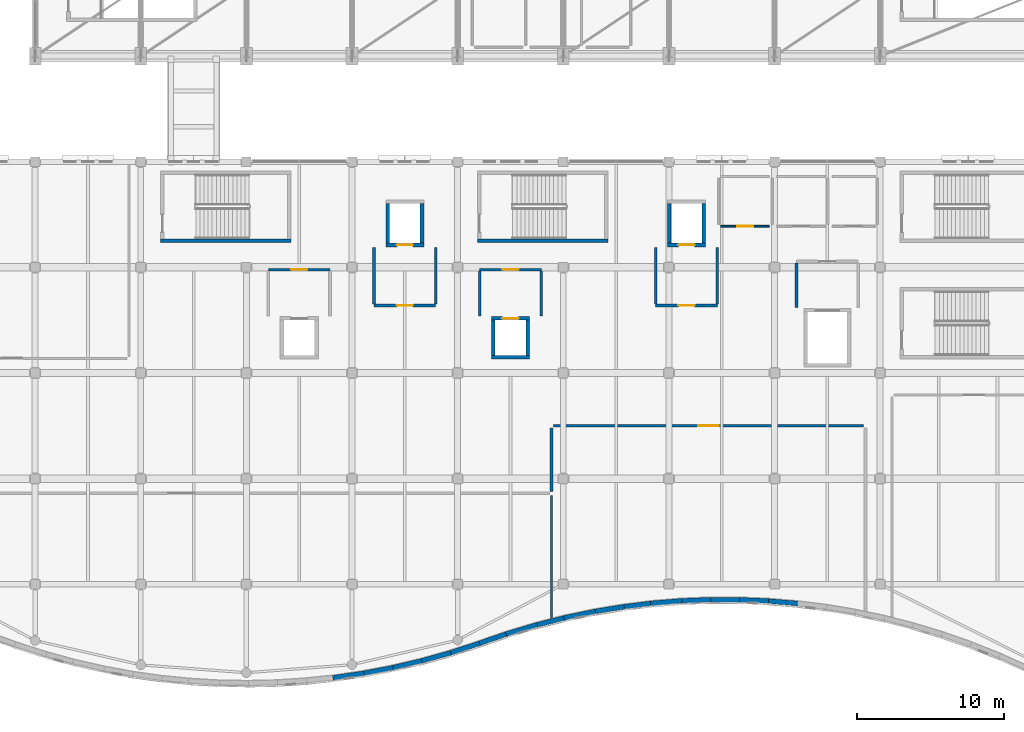
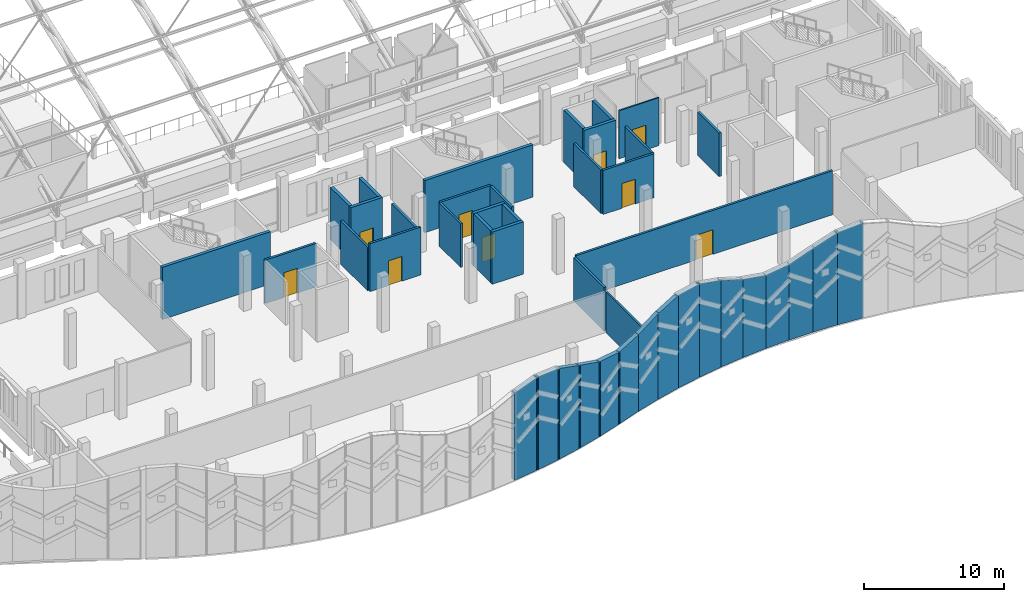
# One storey, part 89 of 116: 43 walls, 9 doors, 9 openings.
"""IFC4 building model written with IfcOpenShell, lengths in metres."""

from ifc_helpers import new_model, si_unit, direction, frame, frame_2d, origin, place, context, subcontext, project, spatial, polyline, rectangle, outline, extrude, material, layer, layer_set, type_object, element, fill, save


model = new_model("IFC4")

# Units and contexts
model_context = context("Model", 3, precision=1e-05, world=origin(), true_north=direction((0.0, 1.0)))
body_context = subcontext(model_context, "Body", "Model", "MODEL_VIEW")
ifc_project = project(units=[si_unit("LENGTHUNIT", "METRE"), si_unit("AREAUNIT", "SQUARE_METRE"), si_unit("VOLUMEUNIT", "CUBIC_METRE"), si_unit("PLANEANGLEUNIT", "RADIAN"), si_unit("MASSUNIT", "GRAM", prefix="KILO")], contexts=[model_context])

# Site, building, storey
site_placement = place(None, origin())
site = spatial("IfcSite", under=ifc_project, at=site_placement, CompositionType="ELEMENT")
building_placement = place(site_placement, origin())
building = spatial("IfcBuilding", under=site, at=building_placement, Name="Cendralis Lancet Convention Centre", CompositionType="ELEMENT")
storey_placement = place(building_placement, frame((0.0, 0.0, 15.0)))
storey = spatial("IfcBuildingStorey", under=building, at=storey_placement, Name="L03", CompositionType="ELEMENT", Elevation=15.0)

# Walls
ifc_material_1 = material(Name="Buff sandstone ashlar and Concrete G40 (C40/50)", Category="masonry")
ifc_layer_1 = layer(ifc_material_1, 0.340087890625, Name="Buff sandstone ashlar and Concrete G40 (C40/50)")
ifc_layer_set_1 = layer_set([ifc_layer_1], Name="Buff sandstone ashlar and Concrete G40 (C40/50)")
wall_type_1 = type_object("IfcWallType", Name="ARC-EW-W340", PredefinedType="STANDARD", material=ifc_layer_set_1)
wall_1_placement = place(storey_placement, frame((159.48486328125, 0.816650390625, 0.0), z_axis=(0.0, 0.0, 1.0), x_axis=(0.989332324203, 0.145676189844, 0.0)))
element("IfcWall", 1, at=wall_1_placement, inside=storey, type_object=wall_type_1, Name="South Boulevard Wave Crest Wall L03 WP-081-WP-082", PredefinedType="STANDARD", context=body_context, shape_type="SweptSolid", body=[
    extrude(outline(polyline([(0.0, 0.0), (2.16015625, 0.0), (2.160400390625, 8.088623046875), (0.0, 7.5732421875), (0.0, 0.0)])), frame((0.0, 0.169921875, 0.0), z_axis=(0.0, -1.0, 0.0), x_axis=(1.0, 0.0, 0.0)), (0.0, 0.0, 1.0), 0.340087890625),
])
wall_2_placement = place(storey_placement, frame((161.45458984375, 1.10302734375, 0.0), z_axis=(0.0, 0.0, 1.0), x_axis=(0.982343477653, 0.187086322089, 0.0)))
element("IfcWall", 2, at=wall_2_placement, inside=storey, type_object=wall_type_1, Name="South Boulevard Wave Crest Wall L03 WP-082-WP-083", PredefinedType="STANDARD", context=body_context, shape_type="SweptSolid", body=[
    extrude(outline(polyline([(0.0, 0.0), (2.17529296875, 0.0), (2.17529296875, 7.891845703125), (0.0, 8.07373046875), (0.0, 0.0)])), frame((0.0, 0.169921875, 0.0), z_axis=(0.0, -1.0, 0.0), x_axis=(1.0, 0.0, 0.0)), (0.0, 0.0, 1.0), 0.340087890625),
])
wall_3_placement = place(storey_placement, frame((163.42529296875, 1.474609375, 0.0), z_axis=(0.0, 0.0, 1.0), x_axis=(0.973669248069, 0.227965338076, 0.0)))
element("IfcWall", 3, at=wall_3_placement, inside=storey, type_object=wall_type_1, Name="South Boulevard Wave Crest Wall L03 WP-083-WP-084", PredefinedType="STANDARD", context=body_context, shape_type="SweptSolid", body=[
    extrude(outline(polyline([(0.0, 0.0), (2.192138671875, 0.0), (2.1923828125, 7.18896484375), (0.0, 7.93310546875), (0.0, 0.0)])), frame((0.0, 0.169921875, 0.0), z_axis=(0.0, -1.0, 0.0), x_axis=(1.0, 0.0, 0.0)), (0.0, 0.0, 1.0), 0.340087890625),
])
wall_4_placement = place(storey_placement, frame((165.39501953125, 1.93212890625, 0.0), z_axis=(0.0, 0.0, 1.0), x_axis=(0.963137862503, 0.269008285772, 0.0)))
element("IfcWall", 4, at=wall_4_placement, inside=storey, type_object=wall_type_1, Name="South Boulevard Wave Crest Wall L03 WP-084-WP-085", PredefinedType="STANDARD", context=body_context, shape_type="SweptSolid", body=[
    extrude(outline(polyline([(0.0, 0.0), (2.21435546875, 0.0), (2.214599609375, 6.474365234375), (0.0, 7.256103515625), (0.0, 0.0)])), frame((0.0, 0.169921875, 0.0), z_axis=(0.0, -1.0, 0.0), x_axis=(1.0, 0.0, 0.0)), (0.0, 0.0, 1.0), 0.340087890625),
])
wall_5_placement = place(storey_placement, frame((167.365234375, 2.478759765625, 0.0), z_axis=(0.0, 0.0, 1.0), x_axis=(0.950754268652, 0.309945673692, 0.0)))
element("IfcWall", 5, at=wall_5_placement, inside=storey, type_object=wall_type_1, Name="South Boulevard Wave Crest Wall L03 WP-085-WP-086", PredefinedType="STANDARD", context=body_context, shape_type="SweptSolid", body=[
    extrude(outline(polyline([(0.0, 0.0), (2.240966796875, 0.0), (2.240966796875, 6.250732421875), (0.0, 6.520263671875), (0.0, 0.0)])), frame((0.0, 0.169921875, 0.0), z_axis=(0.0, -1.0, 0.0), x_axis=(1.0, 0.0, 0.0)), (0.0, 0.0, 1.0), 0.340087890625),
])
wall_6_placement = place(storey_placement, frame((169.334716796875, 3.119384765625, 0.0), z_axis=(0.0, 0.0, 1.0), x_axis=(0.945416720516, 0.325863812916, 0.0)))
element("IfcWall", 6, at=wall_6_placement, inside=storey, type_object=wall_type_1, Name="South Boulevard Wave Crest Wall L03 WP-086-WP-087", PredefinedType="STANDARD", context=body_context, shape_type="SweptSolid", body=[
    extrude(outline(polyline([(0.0, 0.0), (2.253662109375, 0.0), (2.25390625, 6.680908203125), (0.0, 6.24365234375), (0.0, 0.0)])), frame((0.0, 0.169921875, 0.0), z_axis=(0.0, -1.0, 0.0), x_axis=(1.0, 0.0, 0.0)), (0.0, 0.0, 1.0), 0.340087890625),
])
wall_7_placement = place(storey_placement, frame((171.3037109375, 3.801513671875, 0.0), z_axis=(0.0, 0.0, 1.0), x_axis=(0.957895707977, 0.287116374731, 0.0)))
element("IfcWall", 7, at=wall_7_placement, inside=storey, type_object=wall_type_1, Name="South Boulevard Wave Crest Wall L03 WP-087-WP-088", PredefinedType="STANDARD", context=body_context, shape_type="SweptSolid", body=[
    extrude(outline(polyline([(0.0, 0.0), (2.225341796875, 0.0), (2.2255859375, 7.4736328125), (0.0, 6.625244140625), (0.0, 0.0)])), frame((0.0, 0.169921875, 0.0), z_axis=(0.0, -1.0, 0.0), x_axis=(1.0, 0.0, 0.0)), (0.0, 0.0, 1.0), 0.340087890625),
])
wall_8_placement = place(storey_placement, frame((173.271484375, 4.39501953125, 0.0), z_axis=(0.0, 0.0, 1.0), x_axis=(0.969229089559, 0.246160459767, 0.0)))
element("IfcWall", 8, at=wall_8_placement, inside=storey, type_object=wall_type_1, Name="South Boulevard Wave Crest Wall L03 WP-088-WP-089", PredefinedType="STANDARD", context=body_context, shape_type="SweptSolid", body=[
    extrude(outline(polyline([(0.0, 0.0), (2.201904296875, 0.0), (2.201416015625, 8.0859375), (0.0, 7.406982421875), (0.0, 0.0)])), frame((0.0, 0.169921875, 0.0), z_axis=(0.0, -1.0, 0.0), x_axis=(1.0, 0.0, 0.0)), (0.0, 0.0, 1.0), 0.340087890625),
])
wall_9_placement = place(storey_placement, frame((175.23974609375, 4.898681640625, 0.0), z_axis=(0.0, 0.0, 1.0), x_axis=(0.978807841966, 0.20478087925, 0.0)))
element("IfcWall", 9, at=wall_9_placement, inside=storey, type_object=wall_type_1, Name="South Boulevard Wave Crest Wall L03 WP-089-WP-090", PredefinedType="STANDARD", context=body_context, shape_type="SweptSolid", body=[
    extrude(outline(polyline([(0.0, 0.0), (2.181640625, 0.0), (2.181640625, 8.099609375), (0.0, 8.053955078125), (0.0, 0.0)])), frame((0.0, 0.169921875, 0.0), z_axis=(0.0, -1.0, 0.0), x_axis=(1.0, 0.0, 0.0)), (0.0, 0.0, 1.0), 0.340087890625),
])
wall_10_placement = place(storey_placement, frame((177.2080078125, 5.314208984375, 0.0), z_axis=(0.0, 0.0, 1.0), x_axis=(0.986512410096, 0.163686483027, 0.0)))
element("IfcWall", 10, at=wall_10_placement, inside=storey, type_object=wall_type_1, Name="South Boulevard Wave Crest Wall L03 WP-090-WP-091", PredefinedType="STANDARD", context=body_context, shape_type="SweptSolid", body=[
    extrude(outline(polyline([(0.0, 0.0), (2.167236328125, 0.0), (2.1669921875, 7.51220703125), (0.0, 8.125), (0.0, 0.0)])), frame((0.0, 0.169921875, 0.0), z_axis=(0.0, -1.0, 0.0), x_axis=(1.0, 0.0, 0.0)), (0.0, 0.0, 1.0), 0.340087890625),
])
wall_11_placement = place(storey_placement, frame((179.177490234375, 5.64453125, 0.0), z_axis=(0.0, 0.0, 1.0), x_axis=(0.992466764456, 0.122514168366, 0.0)))
element("IfcWall", 11, at=wall_11_placement, inside=storey, type_object=wall_type_1, Name="South Boulevard Wave Crest Wall L03 WP-091-WP-092", PredefinedType="STANDARD", context=body_context, shape_type="SweptSolid", body=[
    extrude(outline(polyline([(0.0, 0.0), (2.154052734375, 0.0), (2.154052734375, 6.739501953125), (0.0, 7.57763671875), (0.0, 0.0)])), frame((0.0, 0.169921875, 0.0), z_axis=(0.0, -1.0, 0.0), x_axis=(1.0, 0.0, 0.0)), (0.0, 0.0, 1.0), 0.340087890625),
])
wall_12_placement = place(storey_placement, frame((181.146240234375, 5.89111328125, 0.0), z_axis=(0.0, 0.0, 1.0), x_axis=(0.996638509986, 0.081924846123, 0.0)))
element("IfcWall", 12, at=wall_12_placement, inside=storey, type_object=wall_type_1, Name="South Boulevard Wave Crest Wall L03 WP-092-WP-093", PredefinedType="STANDARD", context=body_context, shape_type="SweptSolid", body=[
    extrude(outline(polyline([(0.0, 0.0), (2.145751953125, 0.0), (2.1455078125, 6.32470703125), (0.0, 6.798583984375), (0.0, 0.0)])), frame((0.0, 0.169921875, 0.0), z_axis=(0.0, -1.0, 0.0), x_axis=(1.0, 0.0, 0.0)), (0.0, 0.0, 1.0), 0.340087890625),
])
wall_13_placement = place(storey_placement, frame((183.114990234375, 6.056396484375, 0.0), z_axis=(0.0, 0.0, 1.0), x_axis=(0.999170801248, 0.040714984139, 0.0)))
element("IfcWall", 13, at=wall_13_placement, inside=storey, type_object=wall_type_1, Name="South Boulevard Wave Crest Wall L03 WP-093-WP-094", PredefinedType="STANDARD", context=body_context, shape_type="SweptSolid", body=[
    extrude(outline(polyline([(0.0, 0.0), (2.140625, 0.0), (2.140625, 6.562744140625), (0.0, 6.3359375), (0.0, 0.0)])), frame((0.0, 0.169921875, 0.0), z_axis=(0.0, -1.0, 0.0), x_axis=(1.0, 0.0, 0.0)), (0.0, 0.0, 1.0), 0.340087890625),
])
wall_14_placement = place(storey_placement, frame((185.083984375, 6.139892578125, 0.0), z_axis=(0.0, 0.0, 1.0), x_axis=(1.0, 0.0, 0.0)))
element("IfcWall", 14, at=wall_14_placement, inside=storey, type_object=wall_type_1, Name="South Boulevard Wave Crest Wall L03 WP-094-WP-095", PredefinedType="STANDARD", context=body_context, shape_type="SweptSolid", body=[
    extrude(outline(polyline([(0.0, 0.0), (2.138916015625, 0.0), (2.138916015625, 7.2958984375), (0.0, 6.517333984375), (0.0, 0.0)])), frame((0.0, 0.169921875, 0.0), z_axis=(0.0, -1.0, 0.0), x_axis=(1.0, 0.0, 0.0)), (0.0, 0.0, 1.0), 0.340087890625),
])
wall_15_placement = place(storey_placement, frame((187.052978515625, 6.1435546875, 0.0), z_axis=(0.0, 0.0, 1.0), x_axis=(0.999134060604, -0.041606837663, 0.0)))
element("IfcWall", 15, at=wall_15_placement, inside=storey, type_object=wall_type_1, Name="South Boulevard Wave Crest Wall L03 WP-095-WP-096", PredefinedType="STANDARD", context=body_context, shape_type="SweptSolid", body=[
    extrude(outline(polyline([(0.0, 0.0), (2.141845703125, 0.0), (2.1416015625, 8.022705078125), (0.0, 7.224609375), (0.0, 0.0)])), frame((0.0, 0.169921875, 0.0), z_axis=(0.0, -1.0, 0.0), x_axis=(1.0, 0.0, 0.0)), (0.0, 0.0, 1.0), 0.340087890625),
])
wall_16_placement = place(storey_placement, frame((189.023193359375, 6.06494140625, 0.0), z_axis=(0.0, 0.0, 1.0), x_axis=(0.996591899747, -0.082489910642, 0.0)))
element("IfcWall", 16, at=wall_16_placement, inside=storey, type_object=wall_type_1, Name="South Boulevard Wave Crest Wall L03 WP-096-WP-097", PredefinedType="STANDARD", context=body_context, shape_type="SweptSolid", body=[
    extrude(outline(polyline([(0.0, 0.0), (2.145751953125, 0.0), (2.145751953125, 8.245361328125), (0.0, 7.974365234375), (0.0, 0.0)])), frame((0.0, 0.169921875, 0.0), z_axis=(0.0, -1.0, 0.0), x_axis=(1.0, 0.0, 0.0)), (0.0, 0.0, 1.0), 0.340087890625),
])

# Wall, opening, door
ifc_material_2 = material(Name="Acoustic fire-rated gypsum board on steel studs", Category="steel")
ifc_layer_2 = layer(ifc_material_2, 0.1201171875, Name="Acoustic fire-rated gypsum board on steel studs")
ifc_layer_set_2 = layer_set([ifc_layer_2], Name="Acoustic fire-rated gypsum board on steel studs")
wall_type_2 = type_object("IfcWallType", Name="ARC-IW-P120", PredefinedType="PARTITIONING", material=ifc_layer_set_2)
wall_17_placement = place(storey_placement, frame((185.949951171875, 31.60009765625, 0.0), z_axis=(0.0, 0.0, 1.0), x_axis=(1.0, 0.0, 0.0)))
wall_17 = element("IfcWall", 17, at=wall_17_placement, inside=storey, type_object=wall_type_2, Name="L03 Interior Partition IW-05 #0414", PredefinedType="PARTITIONING", context=body_context, shape_type="SweptSolid", body=[
    extrude(rectangle(XDim=3.300048828125, YDim=0.1201171875, at=frame_2d((1.64990234375, 0.0))), origin(), (0.0, 0.0, 1.0), 4.175048828125),
])
opening_1_placement = place(wall_17_placement, frame((1.10009765625, 0.0, 0.0)))
opening_1 = element("IfcOpeningElement", 18, at=opening_1_placement, cuts=wall_17, Name="Opening FD-11", PredefinedType="OPENING", context=body_context, shape_type="SweptSolid", body=[
    extrude(rectangle(XDim=1.10009765625, YDim=2.14990234375, at=frame_2d((0.550048828125, 1.074951171875))), frame((0.0, 0.070068359375, 0.0), z_axis=(0.0, -1.0, 0.0), x_axis=(1.0, 0.0, 0.0)), (0.0, 0.0, 1.0), 0.14013671875),
])
ifc_material_3 = material(Name="Steel S355", Category="steel")
door_type_1 = type_object("IfcDoorType", Name="ARC-DR-FF11", OperationType="NOTDEFINED", PredefinedType="DOOR", material=ifc_material_3)
door_1_placement = place(opening_1_placement, origin())
door_1 = element("IfcDoor", 19, at=door_1_placement, inside=storey, type_object=door_type_1, Name="L03-D025 L03 Interior Door FD-11 #0142", OperationType="SINGLE_SWING_RIGHT", OverallHeight=2.14990234375, OverallWidth=1.10009765625, PredefinedType="DOOR", context=body_context, shape_type="SweptSolid", body=[
    extrude(rectangle(XDim=1.10009765625, YDim=2.14990234375, at=frame_2d((0.550048828125, 1.074951171875))), frame((0.0, 0.02490234375, 0.0), z_axis=(0.0, -1.0, 0.0), x_axis=(1.0, 0.0, 0.0)), (0.0, 0.0, 1.0), 0.050048828125),
])
fill(opening_1, door_1)

# Wall
ifc_layer_3 = layer(ifc_material_2, 0.139892578125, Name="Acoustic fire-rated gypsum board on steel studs")
ifc_layer_set_3 = layer_set([ifc_layer_3], Name="Acoustic fire-rated gypsum board on steel studs")
wall_type_3 = type_object("IfcWallType", Name="ARC-IW-P140", PredefinedType="PARTITIONING", material=ifc_layer_set_3)
wall_18_placement = place(storey_placement, frame((174.39990234375, 4.882568359375, 0.0), z_axis=(0.0, 0.0, 1.0), x_axis=(0.0, 1.0, 0.0)))
element("IfcWall", 20, at=wall_18_placement, inside=storey, type_object=wall_type_3, Name="L03 Interior Partition IW-04 #0406", PredefinedType="PARTITIONING", context=body_context, shape_type="SweptSolid", body=[
    extrude(rectangle(XDim=8.37744140625, YDim=0.139892578125, at=frame_2d((4.188720703125, 0.0))), origin(), (0.0, 0.0, 1.0), 3.56494140625),
])

# Wall, opening, door
ifc_layer_4 = layer(ifc_material_2, 0.179931640625, Name="Acoustic fire-rated gypsum board on steel studs")
ifc_layer_set_4 = layer_set([ifc_layer_4], Name="Acoustic fire-rated gypsum board on steel studs")
wall_type_4 = type_object("IfcWallType", Name="ARC-IW-P180", PredefinedType="PARTITIONING", material=ifc_layer_set_4)
wall_19_placement = place(storey_placement, frame((166.5, 26.199951171875, 0.0), z_axis=(0.0, 0.0, 1.0), x_axis=(-1.0, 0.0, 0.0)))
wall_19 = element("IfcWall", 21, at=wall_19_placement, inside=storey, type_object=wall_type_4, Name="L03 Firefighting Lift Lobby LF-01 Front Wall", PredefinedType="PARTITIONING", context=body_context, shape_type="SweptSolid", body=[
    extrude(rectangle(XDim=4.199951171875, YDim=0.179931640625, at=frame_2d((2.10009765625, 0.0))), origin(), (0.0, 0.0, 1.0), 4.175048828125),
])
opening_2_placement = place(wall_19_placement, frame((1.550048828125, 0.0, 0.0)))
opening_2 = element("IfcOpeningElement", 22, at=opening_2_placement, cuts=wall_19, Name="Opening FD-11", PredefinedType="OPENING", context=body_context, shape_type="SweptSolid", body=[
    extrude(rectangle(XDim=1.10009765625, YDim=2.14990234375, at=frame_2d((0.550048828125, 1.074951171875))), frame((0.0, 0.099853515625, 0.0), z_axis=(0.0, -1.0, 0.0), x_axis=(1.0, 0.0, 0.0)), (0.0, 0.0, 1.0), 0.199951171875),
])
door_2_placement = place(opening_2_placement, origin())
door_2 = element("IfcDoor", 23, at=door_2_placement, inside=storey, type_object=door_type_1, Name="L03-D039 L03 Lift Lobby LF-01 Fire Door", OperationType="SINGLE_SWING_RIGHT", OverallHeight=2.14990234375, OverallWidth=1.10009765625, PredefinedType="DOOR", context=body_context, shape_type="SweptSolid", body=[
    extrude(rectangle(XDim=1.10009765625, YDim=2.14990234375, at=frame_2d((0.550048828125, 1.074951171875))), frame((0.0, 0.02490234375, 0.0), z_axis=(0.0, -1.0, 0.0), x_axis=(1.0, 0.0, 0.0)), (0.0, 0.0, 1.0), 0.050048828125),
])
fill(opening_2, door_2)

# Walls
for number, where, z_axis, x_axis, name in (
    (24, (162.300048828125, 26.300048828125, 0.0), (0.0, 0.0, 1.0), (0.0, 1.0, 0.0), "L03 Lift Lobby LF-01 West Wall"),
    (25, (166.5, 26.300048828125, 0.0), (0.0, 0.0, 1.0), (0.0, 1.0, 0.0), "L03 Lift Lobby LF-01 East Wall"),
):
    element("IfcWall", number, at=place(storey_placement, frame(where, z_axis=z_axis, x_axis=x_axis)), inside=storey, type_object=wall_type_4, Name=name, PredefinedType="PARTITIONING", context=body_context, shape_type="SweptSolid", body=[
        extrude(rectangle(XDim=3.849853515625, YDim=0.179931640625, at=frame_2d((1.9248046875, 0.0))), origin(), (0.0, 0.0, 1.0), 3.784912109375),
    ])

# Wall, opening, door
wall_20_placement = place(storey_placement, frame((185.699951171875, 26.199951171875, 0.0), z_axis=(0.0, 0.0, 1.0), x_axis=(-1.0, 0.0, 0.0)))
wall_20 = element("IfcWall", 26, at=wall_20_placement, inside=storey, type_object=wall_type_4, Name="L03 Firefighting Lift Lobby LF-02 Front Wall", PredefinedType="PARTITIONING", context=body_context, shape_type="SweptSolid", body=[
    extrude(rectangle(XDim=4.199951171875, YDim=0.179931640625, at=frame_2d((2.10009765625, 0.0))), origin(), (0.0, 0.0, 1.0), 3.8349609375),
])
opening_3_placement = place(wall_20_placement, frame((1.550048828125, 0.0, 0.0)))
opening_3 = element("IfcOpeningElement", 27, at=opening_3_placement, cuts=wall_20, Name="Opening FD-11", PredefinedType="OPENING", context=body_context, shape_type="SweptSolid", body=[
    extrude(rectangle(XDim=1.10009765625, YDim=2.14990234375, at=frame_2d((0.550048828125, 1.074951171875))), frame((0.0, 0.099853515625, 0.0), z_axis=(0.0, -1.0, 0.0), x_axis=(1.0, 0.0, 0.0)), (0.0, 0.0, 1.0), 0.199951171875),
])
door_3_placement = place(opening_3_placement, origin())
door_3 = element("IfcDoor", 28, at=door_3_placement, inside=storey, type_object=door_type_1, Name="L03-D040 L03 Lift Lobby LF-02 Fire Door", OperationType="SINGLE_SWING_LEFT", OverallHeight=2.14990234375, OverallWidth=1.10009765625, PredefinedType="DOOR", context=body_context, shape_type="SweptSolid", body=[
    extrude(rectangle(XDim=1.10009765625, YDim=2.14990234375, at=frame_2d((0.550048828125, 1.074951171875))), frame((0.0, 0.02490234375, 0.0), z_axis=(0.0, -1.0, 0.0), x_axis=(1.0, 0.0, 0.0)), (0.0, 0.0, 1.0), 0.050048828125),
])
fill(opening_3, door_3)

# Walls
for number, where, z_axis, x_axis, name in (
    (29, (181.5, 26.300048828125, 0.0), (0.0, 0.0, 1.0), (0.0, 1.0, 0.0), "L03 Lift Lobby LF-02 West Wall"),
    (30, (185.699951171875, 26.300048828125, 0.0), (0.0, 0.0, 1.0), (0.0, 1.0, 0.0), "L03 Lift Lobby LF-02 East Wall"),
):
    element("IfcWall", number, at=place(storey_placement, frame(where, z_axis=z_axis, x_axis=x_axis)), inside=storey, type_object=wall_type_4, Name=name, PredefinedType="PARTITIONING", context=body_context, shape_type="SweptSolid", body=[
        extrude(rectangle(XDim=3.849853515625, YDim=0.179931640625, at=frame_2d((1.9248046875, 0.0))), origin(), (0.0, 0.0, 1.0), 3.784912109375),
    ])

# Wall, opening, door
wall_21_placement = place(storey_placement, frame((155.10009765625, 28.64990234375, 0.0), z_axis=(0.0, 0.0, 1.0), x_axis=(1.0, 0.0, 0.0)))
wall_21 = element("IfcWall", 31, at=wall_21_placement, inside=storey, type_object=wall_type_4, Name="L03 Lift Lobby LP-01 Front Wall", PredefinedType="PARTITIONING", context=body_context, shape_type="SweptSolid", body=[
    extrude(rectangle(XDim=4.199951171875, YDim=0.179931640625, at=frame_2d((2.10009765625, 0.0))), origin(), (0.0, 0.0, 1.0), 3.784912109375),
])
opening_4_placement = place(wall_21_placement, frame((1.550048828125, 0.0, 0.0)))
opening_4 = element("IfcOpeningElement", 32, at=opening_4_placement, cuts=wall_21, Name="Opening FD-11", PredefinedType="OPENING", context=body_context, shape_type="SweptSolid", body=[
    extrude(rectangle(XDim=1.10009765625, YDim=2.14990234375, at=frame_2d((0.550048828125, 1.074951171875))), frame((0.0, 0.099853515625, 0.0), z_axis=(0.0, -1.0, 0.0), x_axis=(1.0, 0.0, 0.0)), (0.0, 0.0, 1.0), 0.199951171875),
])
door_4_placement = place(opening_4_placement, origin())
door_4 = element("IfcDoor", 33, at=door_4_placement, inside=storey, type_object=door_type_1, Name="L03-D043 L03 Lift Lobby LP-01 Fire Door", OperationType="SINGLE_SWING_RIGHT", OverallHeight=2.14990234375, OverallWidth=1.10009765625, PredefinedType="DOOR", context=body_context, shape_type="SweptSolid", body=[
    extrude(rectangle(XDim=1.10009765625, YDim=2.14990234375, at=frame_2d((0.550048828125, 1.074951171875))), frame((0.0, 0.02490234375, 0.0), z_axis=(0.0, -1.0, 0.0), x_axis=(1.0, 0.0, 0.0)), (0.0, 0.0, 1.0), 0.050048828125),
])
fill(opening_4, door_4)

wall_22_placement = place(storey_placement, frame((169.5, 28.64990234375, 0.0), z_axis=(0.0, 0.0, 1.0), x_axis=(1.0, 0.0, 0.0)))
wall_22 = element("IfcWall", 34, at=wall_22_placement, inside=storey, type_object=wall_type_4, Name="L03 Lift Lobby LP-02 Front Wall", PredefinedType="PARTITIONING", context=body_context, shape_type="SweptSolid", body=[
    extrude(rectangle(XDim=4.199951171875, YDim=0.179931640625, at=frame_2d((2.10009765625, 0.0))), origin(), (0.0, 0.0, 1.0), 3.784912109375),
])
opening_5_placement = place(wall_22_placement, frame((1.550048828125, 0.0, 0.0)))
opening_5 = element("IfcOpeningElement", 35, at=opening_5_placement, cuts=wall_22, Name="Opening FD-11", PredefinedType="OPENING", context=body_context, shape_type="SweptSolid", body=[
    extrude(rectangle(XDim=1.10009765625, YDim=2.14990234375, at=frame_2d((0.550048828125, 1.074951171875))), frame((0.0, 0.099853515625, 0.0), z_axis=(0.0, -1.0, 0.0), x_axis=(1.0, 0.0, 0.0)), (0.0, 0.0, 1.0), 0.199951171875),
])
door_5_placement = place(opening_5_placement, origin())
door_5 = element("IfcDoor", 36, at=door_5_placement, inside=storey, type_object=door_type_1, Name="L03-D044 L03 Lift Lobby LP-02 Fire Door", OperationType="SINGLE_SWING_LEFT", OverallHeight=2.14990234375, OverallWidth=1.10009765625, PredefinedType="DOOR", context=body_context, shape_type="SweptSolid", body=[
    extrude(rectangle(XDim=1.10009765625, YDim=2.14990234375, at=frame_2d((0.550048828125, 1.074951171875))), frame((0.0, 0.02490234375, 0.0), z_axis=(0.0, -1.0, 0.0), x_axis=(1.0, 0.0, 0.0)), (0.0, 0.0, 1.0), 0.050048828125),
])
fill(opening_5, door_5)

# Walls
for number, where, z_axis, x_axis, name in (
    (37, (169.5, 25.5, 0.0), (0.0, 0.0, 1.0), (0.0, 1.0, 0.0), "L03 Lift Lobby LP-02 West Wall"),
    (38, (173.699951171875, 25.5, 0.0), (0.0, 0.0, 1.0), (0.0, 1.0, 0.0), "L03 Lift Lobby LP-02 East Wall"),
    (39, (191.10009765625, 26.050048828125, 0.0), (0.0, 0.0, 1.0), (0.0, 1.0, 0.0), "L03 Lift Lobby LG-04 West Wall"),
):
    element("IfcWall", number, at=place(storey_placement, frame(where, z_axis=z_axis, x_axis=x_axis)), inside=storey, type_object=wall_type_4, Name=name, PredefinedType="PARTITIONING", context=body_context, shape_type="SweptSolid", body=[
        extrude(rectangle(XDim=3.050048828125, YDim=0.179931640625, at=frame_2d((1.52490234375, 0.0))), origin(), (0.0, 0.0, 1.0), 3.784912109375),
    ])
wall_23_placement = place(storey_placement, frame((174.39990234375, 13.5400390625, 0.0), z_axis=(0.0, 0.0, 1.0), x_axis=(0.0, 1.0, 0.0)))
element("IfcWall", 40, at=wall_23_placement, inside=storey, type_object=wall_type_4, Name="L03 Interior Partition IW-02 #0407", PredefinedType="PARTITIONING", context=body_context, shape_type="SweptSolid", body=[
    extrude(rectangle(XDim=4.320068359375, YDim=0.179931640625, at=frame_2d((2.16015625, 0.0))), origin(), (0.0, 0.0, 1.0), 3.784912109375),
])

# Wall, opening, door
wall_24_placement = place(storey_placement, frame((174.5400390625, 18.0, 0.0), z_axis=(0.0, 0.0, 1.0), x_axis=(1.0, 0.0, 0.0)))
wall_24 = element("IfcWall", 41, at=wall_24_placement, inside=storey, type_object=wall_type_4, Name="L03 Interior Partition IW-02 #0408", PredefinedType="PARTITIONING", context=body_context, shape_type="SweptSolid", body=[
    extrude(rectangle(XDim=21.119873046875, YDim=0.179931640625, at=frame_2d((10.56005859375, 0.0))), origin(), (0.0, 0.0, 1.0), 3.8349609375),
])
opening_6_placement = place(wall_24_placement, frame((9.860107421875, 0.0, 0.0)))
opening_6 = element("IfcOpeningElement", 42, at=opening_6_placement, cuts=wall_24, Name="Opening ID-14", PredefinedType="OPENING", context=body_context, shape_type="SweptSolid", body=[
    extrude(rectangle(XDim=1.39990234375, YDim=2.14990234375, at=frame_2d((0.699951171875, 1.074951171875))), frame((0.0, 0.099853515625, 0.0), z_axis=(0.0, -1.0, 0.0), x_axis=(1.0, 0.0, 0.0)), (0.0, 0.0, 1.0), 0.199951171875),
])
ifc_material_4 = material(Name="Acoustic Chilean lenga timber and steel fire leaf", Category="steel")
door_type_2 = type_object("IfcDoorType", Name="ARC-DR-DB14", OperationType="NOTDEFINED", PredefinedType="DOOR", material=ifc_material_4)
door_6_placement = place(opening_6_placement, frame((1.39990234375, 0.0, 0.0), z_axis=(0.0, 0.0, 1.0), x_axis=(-1.0, 0.0, 0.0)))
door_6 = element("IfcDoor", 43, at=door_6_placement, inside=storey, type_object=door_type_2, Name="L03-D022 L03 Interior Door ID-14 #0139", OperationType="DOUBLE_DOOR_SINGLE_SWING", OverallHeight=2.14990234375, OverallWidth=1.39990234375, PredefinedType="DOOR", context=body_context, shape_type="SweptSolid", body=[
    extrude(rectangle(XDim=1.39990234375, YDim=2.14990234375, at=frame_2d((0.699951171875, 1.074951171875))), frame((0.0, 0.02490234375, 0.0), z_axis=(0.0, -1.0, 0.0), x_axis=(1.0, 0.0, 0.0)), (0.0, 0.0, 1.0), 0.050048828125),
])
fill(opening_6, door_6)

# Walls
ifc_material_5 = material(Name="Concrete G40 (C40/50)", Category="concrete")
ifc_layer_5 = layer(ifc_material_5, 0.25, Name="Concrete G40 (C40/50)")
ifc_layer_set_5 = layer_set([ifc_layer_5], Name="Concrete G40 (C40/50)")
wall_type_5 = type_object("IfcWallType", Name="STR-SW-CW250", PredefinedType="SHEAR", material=ifc_layer_set_5)
for number, where, z_axis, x_axis, name in (
    (44, (147.75, 30.625, 0.0), (0.0, 0.0, 1.0), (1.0, 0.0, 0.0), "L03 Stair Core ST-13 South Shear Wall"),
    (45, (169.35009765625, 30.625, 0.0), (0.0, 0.0, 1.0), (1.0, 0.0, 0.0), "L03 Stair Core ST-14 South Shear Wall"),
):
    element("IfcWall", number, at=place(storey_placement, frame(where, z_axis=z_axis, x_axis=x_axis)), inside=storey, type_object=wall_type_5, Name=name, PredefinedType="SHEAR", context=body_context, shape_type="SweptSolid", body=[
        extrude(rectangle(XDim=8.89990234375, YDim=0.25, at=frame_2d((4.449951171875, 0.0))), origin(), (0.0, 0.0, 1.0), 4.550048828125),
    ])

# Wall, opening, door
wall_25_placement = place(storey_placement, frame((163.10009765625, 30.324951171875, 0.0), z_axis=(0.0, 0.0, 1.0), x_axis=(1.0, 0.0, 0.0)))
wall_25 = element("IfcWall", 46, at=wall_25_placement, inside=storey, type_object=wall_type_5, Name="L03 Lift LF-01 South Shaft Wall", PredefinedType="SHEAR", context=body_context, shape_type="SweptSolid", body=[
    extrude(rectangle(XDim=2.599853515625, YDim=0.25, at=frame_2d((1.2998046875, 0.0))), origin(), (0.0, 0.0, 1.0), 4.550048828125),
])
opening_7_placement = place(wall_25_placement, frame((0.75, 0.0, 0.0)))
opening_7 = element("IfcOpeningElement", 47, at=opening_7_placement, cuts=wall_25, Name="Opening LD-11", PredefinedType="OPENING", context=body_context, shape_type="SweptSolid", body=[
    extrude(rectangle(XDim=1.10009765625, YDim=2.14990234375, at=frame_2d((0.550048828125, 1.074951171875))), frame((0.0, 0.135009765625, 0.0), z_axis=(0.0, -1.0, 0.0), x_axis=(1.0, 0.0, 0.0)), (0.0, 0.0, 1.0), 0.27001953125),
])
ifc_material_6 = material(Name="Anodised bronze architectural aluminium", Category="aluminium")
door_type_3 = type_object("IfcDoorType", Name="ARC-DR-LD11", OperationType="NOTDEFINED", PredefinedType="DOOR", material=ifc_material_6)
door_7_placement = place(opening_7_placement, origin())
door_7 = element("IfcDoor", 48, at=door_7_placement, inside=storey, type_object=door_type_3, Name="L03-D028 L03 Lift LF-01 Sliding Landing Door", OperationType="SLIDING_TO_RIGHT", OverallHeight=2.14990234375, OverallWidth=1.10009765625, PredefinedType="DOOR", context=body_context, shape_type="SweptSolid", body=[
    extrude(rectangle(XDim=1.10009765625, YDim=2.14990234375, at=frame_2d((0.550048828125, 1.074951171875))), frame((0.0, 0.02490234375, 0.0), z_axis=(0.0, -1.0, 0.0), x_axis=(1.0, 0.0, 0.0)), (0.0, 0.0, 1.0), 0.050048828125),
])
fill(opening_7, door_7)

# Walls
for number, where, z_axis, x_axis, name in (
    (49, (163.22509765625, 30.449951171875, 0.0), (0.0, 0.0, 1.0), (0.0, 1.0, 0.0), "L03 Lift LF-01 West Shaft Wall"),
    (50, (165.574951171875, 30.449951171875, 0.0), (0.0, 0.0, 1.0), (0.0, 1.0, 0.0), "L03 Lift LF-01 East Shaft Wall"),
):
    element("IfcWall", number, at=place(storey_placement, frame(where, z_axis=z_axis, x_axis=x_axis)), inside=storey, type_object=wall_type_5, Name=name, PredefinedType="SHEAR", context=body_context, shape_type="SweptSolid", body=[
        extrude(rectangle(XDim=2.699951171875, YDim=0.25, at=frame_2d((1.35009765625, 0.0))), origin(), (0.0, 0.0, 1.0), 4.550048828125),
    ])

# Wall, opening, door
wall_26_placement = place(storey_placement, frame((182.300048828125, 30.324951171875, 0.0), z_axis=(0.0, 0.0, 1.0), x_axis=(1.0, 0.0, 0.0)))
wall_26 = element("IfcWall", 51, at=wall_26_placement, inside=storey, type_object=wall_type_5, Name="L03 Lift LF-02 South Shaft Wall", PredefinedType="SHEAR", context=body_context, shape_type="SweptSolid", body=[
    extrude(rectangle(XDim=2.599853515625, YDim=0.25, at=frame_2d((1.2998046875, 0.0))), origin(), (0.0, 0.0, 1.0), 4.550048828125),
])
opening_8_placement = place(wall_26_placement, frame((0.75, 0.0, 0.0)))
opening_8 = element("IfcOpeningElement", 52, at=opening_8_placement, cuts=wall_26, Name="Opening LD-11", PredefinedType="OPENING", context=body_context, shape_type="SweptSolid", body=[
    extrude(rectangle(XDim=1.10009765625, YDim=2.14990234375, at=frame_2d((0.550048828125, 1.074951171875))), frame((0.0, 0.135009765625, 0.0), z_axis=(0.0, -1.0, 0.0), x_axis=(1.0, 0.0, 0.0)), (0.0, 0.0, 1.0), 0.27001953125),
])
door_8_placement = place(opening_8_placement, origin())
door_8 = element("IfcDoor", 53, at=door_8_placement, inside=storey, type_object=door_type_3, Name="L03-D029 L03 Lift LF-02 Sliding Landing Door", OperationType="SLIDING_TO_LEFT", OverallHeight=2.14990234375, OverallWidth=1.10009765625, PredefinedType="DOOR", context=body_context, shape_type="SweptSolid", body=[
    extrude(rectangle(XDim=1.10009765625, YDim=2.14990234375, at=frame_2d((0.550048828125, 1.074951171875))), frame((0.0, 0.02490234375, 0.0), z_axis=(0.0, -1.0, 0.0), x_axis=(1.0, 0.0, 0.0)), (0.0, 0.0, 1.0), 0.050048828125),
])
fill(opening_8, door_8)

# Walls
for number, where, z_axis, x_axis, name in (
    (54, (182.425048828125, 30.449951171875, 0.0), (0.0, 0.0, 1.0), (0.0, 1.0, 0.0), "L03 Lift LF-02 West Shaft Wall"),
    (55, (184.77490234375, 30.449951171875, 0.0), (0.0, 0.0, 1.0), (0.0, 1.0, 0.0), "L03 Lift LF-02 East Shaft Wall"),
):
    element("IfcWall", number, at=place(storey_placement, frame(where, z_axis=z_axis, x_axis=x_axis)), inside=storey, type_object=wall_type_5, Name=name, PredefinedType="SHEAR", context=body_context, shape_type="SweptSolid", body=[
        extrude(rectangle(XDim=2.699951171875, YDim=0.25, at=frame_2d((1.35009765625, 0.0))), origin(), (0.0, 0.0, 1.0), 4.550048828125),
    ])
wall_27_placement = place(storey_placement, frame((170.300048828125, 22.675048828125, 0.0), z_axis=(0.0, 0.0, 1.0), x_axis=(1.0, 0.0, 0.0)))
element("IfcWall", 56, at=wall_27_placement, inside=storey, type_object=wall_type_5, Name="L03 Lift LP-02 South Shaft Wall", PredefinedType="SHEAR", context=body_context, shape_type="SweptSolid", body=[
    extrude(rectangle(XDim=2.599853515625, YDim=0.25, at=frame_2d((1.2998046875, 0.0))), origin(), (0.0, 0.0, 1.0), 4.550048828125),
])

# Wall, opening, door
wall_28_placement = place(storey_placement, frame((170.300048828125, 25.324951171875, 0.0), z_axis=(0.0, 0.0, 1.0), x_axis=(1.0, 0.0, 0.0)))
wall_28 = element("IfcWall", 57, at=wall_28_placement, inside=storey, type_object=wall_type_5, Name="L03 Lift LP-02 North Shaft Wall", PredefinedType="SHEAR", context=body_context, shape_type="SweptSolid", body=[
    extrude(rectangle(XDim=2.599853515625, YDim=0.25, at=frame_2d((1.2998046875, 0.0))), origin(), (0.0, 0.0, 1.0), 4.550048828125),
])
opening_9_placement = place(wall_28_placement, frame((0.75, 0.0, 0.0)))
opening_9 = element("IfcOpeningElement", 58, at=opening_9_placement, cuts=wall_28, Name="Opening LD-11", PredefinedType="OPENING", context=body_context, shape_type="SweptSolid", body=[
    extrude(rectangle(XDim=1.10009765625, YDim=2.14990234375, at=frame_2d((0.550048828125, 1.074951171875))), frame((0.0, 0.135009765625, 0.0), z_axis=(0.0, -1.0, 0.0), x_axis=(1.0, 0.0, 0.0)), (0.0, 0.0, 1.0), 0.27001953125),
])
door_9_placement = place(opening_9_placement, origin())
door_9 = element("IfcDoor", 59, at=door_9_placement, inside=storey, type_object=door_type_3, Name="L03-D033 L03 Lift LP-02 Sliding Landing Door", OperationType="SLIDING_TO_LEFT", OverallHeight=2.14990234375, OverallWidth=1.10009765625, PredefinedType="DOOR", context=body_context, shape_type="SweptSolid", body=[
    extrude(rectangle(XDim=1.10009765625, YDim=2.14990234375, at=frame_2d((0.550048828125, 1.074951171875))), frame((0.0, 0.02490234375, 0.0), z_axis=(0.0, -1.0, 0.0), x_axis=(1.0, 0.0, 0.0)), (0.0, 0.0, 1.0), 0.050048828125),
])
fill(opening_9, door_9)

# Walls
for number, where, z_axis, x_axis, name in (
    (60, (170.425048828125, 22.800048828125, 0.0), (0.0, 0.0, 1.0), (0.0, 1.0, 0.0), "L03 Lift LP-02 West Shaft Wall"),
    (61, (172.77490234375, 22.800048828125, 0.0), (0.0, 0.0, 1.0), (0.0, 1.0, 0.0), "L03 Lift LP-02 East Shaft Wall"),
):
    element("IfcWall", number, at=place(storey_placement, frame(where, z_axis=z_axis, x_axis=x_axis)), inside=storey, type_object=wall_type_5, Name=name, PredefinedType="SHEAR", context=body_context, shape_type="SweptSolid", body=[
        extrude(rectangle(XDim=2.39990234375, YDim=0.25, at=frame_2d((1.199951171875, 0.0))), origin(), (0.0, 0.0, 1.0), 4.550048828125),
    ])

save(model, "model.ifc")
